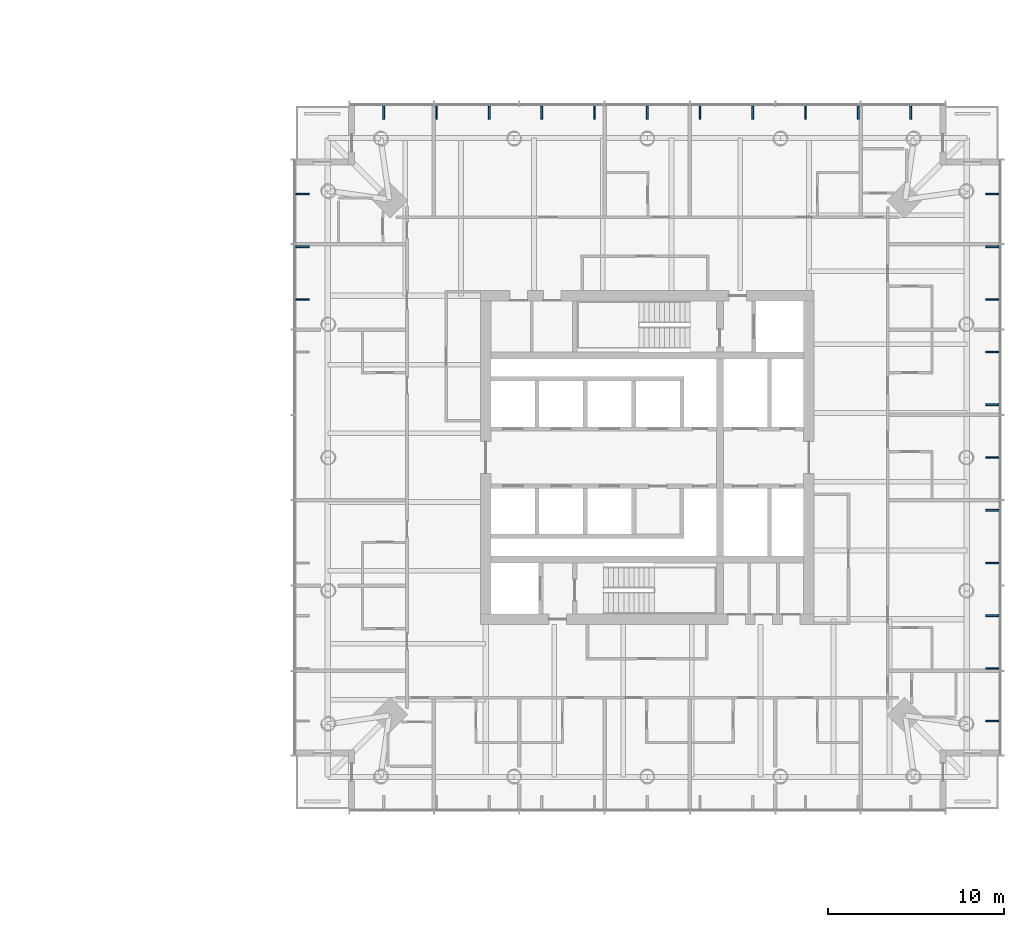
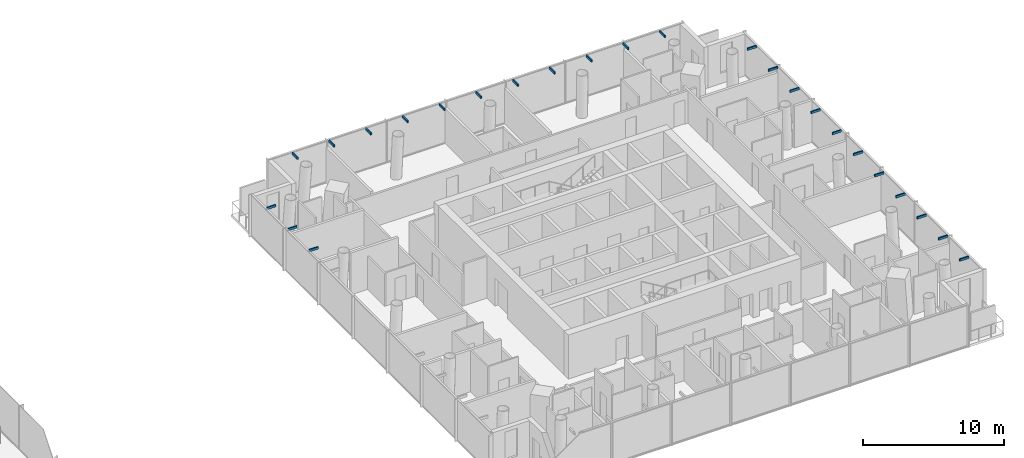
# One storey, part 20 of 22: 25 discrete accessories.
"""IFC4 building model written with IfcOpenShell, lengths in metres."""

from ifc_helpers import new_model, si_unit, direction, frame, origin, origin_2d, place, context, subcontext, project, spatial, rectangle, extrude, material, type_object, element, save


model = new_model("IFC4")

# Units and contexts
model_context = context("Model", 3, precision=1e-05, world=origin(), true_north=direction((0.0, 1.0)))
body_context = subcontext(model_context, "Body", "Model", "MODEL_VIEW")
ifc_project = project(units=[si_unit("LENGTHUNIT", "METRE"), si_unit("AREAUNIT", "SQUARE_METRE"), si_unit("VOLUMEUNIT", "CUBIC_METRE"), si_unit("PLANEANGLEUNIT", "RADIAN"), si_unit("MASSUNIT", "GRAM", prefix="KILO")], contexts=[model_context])

# Site, building, storey
site_placement = place(None, origin())
site = spatial("IfcSite", under=ifc_project, at=site_placement, CompositionType="ELEMENT")
building_placement = place(site_placement, origin())
building = spatial("IfcBuilding", under=site, at=building_placement, Name="Ostroluk Exchange", CompositionType="ELEMENT")
storey_placement = place(building_placement, frame((0.0, 0.0, 40.0)))
storey = spatial("IfcBuildingStorey", under=building, at=storey_placement, Name="L09", CompositionType="ELEMENT", Elevation=40.0)

# Discrete accessories
ifc_material = material(Name="Steel S355", Category="steel")
discrete_accessory_type = type_object("IfcDiscreteAccessoryType", Name="Maintenance roof bracket", PredefinedType="BRACKET", material=ifc_material)
for number, where, z_axis, x_axis, name in (
    (1, (136.625, 31.0, 3.4501953125), (0.0, 0.0, 1.0), (1.0, 0.0, 0.0), "Maintenance roof bracket L10 east 1"),
    (2, (136.625, 34.0, 3.4501953125), (0.0, 0.0, 1.0), (1.0, 0.0, 0.0), "Maintenance roof bracket L10 east 2"),
    (3, (136.625, 37.0, 3.4501953125), (0.0, 0.0, 1.0), (1.0, 0.0, 0.0), "Maintenance roof bracket L10 east 3"),
    (4, (136.625, 40.0, 3.4501953125), (0.0, 0.0, 1.0), (1.0, 0.0, 0.0), "Maintenance roof bracket L10 east 4"),
    (5, (136.625, 43.0, 3.4501953125), (0.0, 0.0, 1.0), (1.0, 0.0, 0.0), "Maintenance roof bracket L10 east 5"),
    (6, (136.625, 46.0, 3.4501953125), (0.0, 0.0, 1.0), (1.0, 0.0, 0.0), "Maintenance roof bracket L10 east 6"),
    (7, (136.625, 49.0, 3.4501953125), (0.0, 0.0, 1.0), (1.0, 0.0, 0.0), "Maintenance roof bracket L10 east 7"),
    (8, (136.625, 52.0, 3.4501953125), (0.0, 0.0, 1.0), (1.0, 0.0, 0.0), "Maintenance roof bracket L10 east 8"),
    (9, (136.625, 55.0, 3.4501953125), (0.0, 0.0, 1.0), (1.0, 0.0, 0.0), "Maintenance roof bracket L10 east 9"),
    (10, (136.625, 58.0, 3.4501953125), (0.0, 0.0, 1.0), (1.0, 0.0, 0.0), "Maintenance roof bracket L10 east 10"),
    (11, (136.625, 61.0, 3.4501953125), (0.0, 0.0, 1.0), (1.0, 0.0, 0.0), "Maintenance roof bracket L10 east 11"),
):
    element("IfcDiscreteAccessory", number, at=place(storey_placement, frame(where, z_axis=z_axis, x_axis=x_axis)), inside=storey, type_object=discrete_accessory_type, Name=name, PredefinedType="BRACKET", context=body_context, shape_type="SweptSolid", body=[
        extrude(rectangle(XDim=0.75, YDim=0.10009765625, at=origin_2d()), origin(), (0.0, 0.0, 1.0), 0.199951171875),
    ])
for number, where, z_axis, x_axis, name in (
    (12, (102.0, 65.625, 3.4501953125), (0.0, 0.0, 1.0), (1.0, 0.0, 0.0), "Maintenance roof bracket L10 north 1"),
    (13, (105.0, 65.625, 3.4501953125), (0.0, 0.0, 1.0), (1.0, 0.0, 0.0), "Maintenance roof bracket L10 north 2"),
    (14, (108.0, 65.625, 3.4501953125), (0.0, 0.0, 1.0), (1.0, 0.0, 0.0), "Maintenance roof bracket L10 north 3"),
    (15, (111.0, 65.625, 3.4501953125), (0.0, 0.0, 1.0), (1.0, 0.0, 0.0), "Maintenance roof bracket L10 north 4"),
    (16, (114.0, 65.625, 3.4501953125), (0.0, 0.0, 1.0), (1.0, 0.0, 0.0), "Maintenance roof bracket L10 north 5"),
    (17, (117.0, 65.625, 3.4501953125), (0.0, 0.0, 1.0), (1.0, 0.0, 0.0), "Maintenance roof bracket L10 north 6"),
    (18, (120.0, 65.625, 3.4501953125), (0.0, 0.0, 1.0), (1.0, 0.0, 0.0), "Maintenance roof bracket L10 north 7"),
    (19, (123.0, 65.625, 3.4501953125), (0.0, 0.0, 1.0), (1.0, 0.0, 0.0), "Maintenance roof bracket L10 north 8"),
    (20, (126.0, 65.625, 3.4501953125), (0.0, 0.0, 1.0), (1.0, 0.0, 0.0), "Maintenance roof bracket L10 north 9"),
    (21, (129.0, 65.625, 3.4501953125), (0.0, 0.0, 1.0), (1.0, 0.0, 0.0), "Maintenance roof bracket L10 north 10"),
    (22, (132.0, 65.625, 3.4501953125), (0.0, 0.0, 1.0), (1.0, 0.0, 0.0), "Maintenance roof bracket L10 north 11"),
):
    element("IfcDiscreteAccessory", number, at=place(storey_placement, frame(where, z_axis=z_axis, x_axis=x_axis)), inside=storey, type_object=discrete_accessory_type, Name=name, PredefinedType="BRACKET", context=body_context, shape_type="SweptSolid", body=[
        extrude(rectangle(XDim=0.10009765625, YDim=0.75, at=origin_2d()), origin(), (0.0, 0.0, 1.0), 0.199951171875),
    ])
for number, where, z_axis, x_axis, name in (
    (23, (97.375, 55.0, 3.4501953125), (0.0, 0.0, 1.0), (1.0, 0.0, 0.0), "Maintenance roof bracket L10 west 9"),
    (24, (97.375, 58.0, 3.4501953125), (0.0, 0.0, 1.0), (1.0, 0.0, 0.0), "Maintenance roof bracket L10 west 10"),
    (25, (97.375, 61.0, 3.4501953125), (0.0, 0.0, 1.0), (1.0, 0.0, 0.0), "Maintenance roof bracket L10 west 11"),
):
    element("IfcDiscreteAccessory", number, at=place(storey_placement, frame(where, z_axis=z_axis, x_axis=x_axis)), inside=storey, type_object=discrete_accessory_type, Name=name, PredefinedType="BRACKET", context=body_context, shape_type="SweptSolid", body=[
        extrude(rectangle(XDim=0.75, YDim=0.10009765625, at=origin_2d()), origin(), (0.0, 0.0, 1.0), 0.199951171875),
    ])

save(model, "model.ifc")
